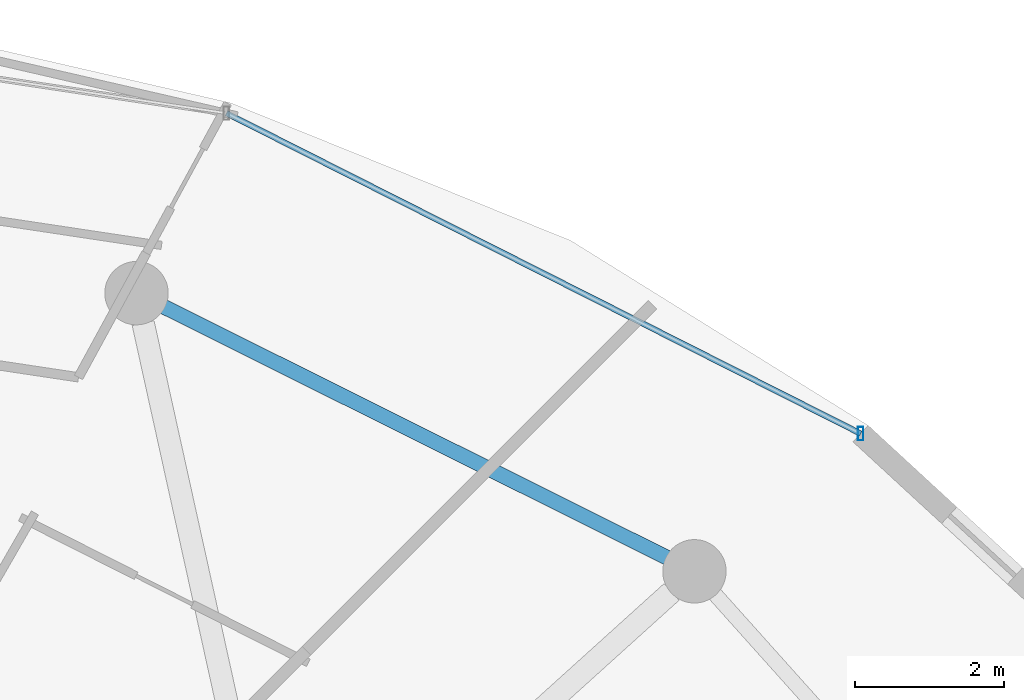
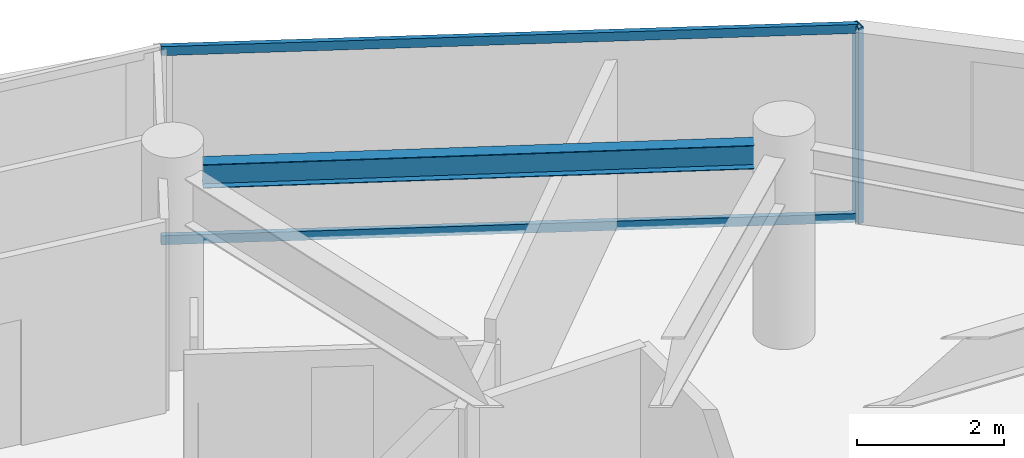
# One storey, part 15 of 25: 3 members, 1 beam, 1 element without a shape of its own.
"""IFC4 building model written with IfcOpenShell, lengths in metres."""

from ifc_helpers import new_model, si_unit, direction, frame, origin, origin_2d, place, context, subcontext, project, spatial, hollow_rectangle, i_section, extrude, material, material_profile, profile_set, type_object, element, aggregate, save


model = new_model("IFC4")

# Units and contexts
model_context = context("Model", 3, precision=1e-05, world=origin(), true_north=direction((0.0, 1.0)))
body_context = subcontext(model_context, "Body", "Model", "MODEL_VIEW")
ifc_project = project(units=[si_unit("LENGTHUNIT", "METRE"), si_unit("AREAUNIT", "SQUARE_METRE"), si_unit("VOLUMEUNIT", "CUBIC_METRE"), si_unit("PLANEANGLEUNIT", "RADIAN"), si_unit("MASSUNIT", "GRAM", prefix="KILO")], contexts=[model_context])

# Site, building, storey
site_placement = place(None, origin())
site = spatial("IfcSite", under=ifc_project, at=site_placement, CompositionType="ELEMENT")
building_placement = place(site_placement, origin())
building = spatial("IfcBuilding", under=site, at=building_placement, Name="Vorneva Point Tower", CompositionType="ELEMENT")
storey_placement = place(building_placement, frame((0.0, 0.0, 276.85009765625)))
storey = spatial("IfcBuildingStorey", under=building, at=storey_placement, Name="L75", CompositionType="ELEMENT", Elevation=276.85009765625)

# Beam
ifc_material_1 = material(Name="Steel S355", Category="steel")
ifc_material_profile_1 = material_profile(ifc_material_1, i_section(OverallWidth=0.198974609375, OverallDepth=0.39599609375, WebThickness=0.007080078125, FlangeThickness=0.010986328125, at=origin_2d()), Name="40B1")
ifc_profile_set_1 = profile_set([ifc_material_profile_1], Name="Steel S355")
beam_type = type_object("IfcBeamType", Name="BM-SPN-40B1", PredefinedType="SPANDREL", material=ifc_profile_set_1)
beam_placement = place(storey_placement, frame((53.931884765625, 38.34521484375, 2.991943359375), z_axis=(-0.894932011528, 0.446202526599, 0.0), x_axis=(-0.446202526599, -0.894932011528, 0.0)))
element("IfcBeam", 1, at=beam_placement, inside=storey, type_object=beam_type, Name="L75 Perimeter Spandrel Ring Beam 03", PredefinedType="SPANDREL", context=body_context, shape_type="SweptSolid", body=[
    extrude(i_section(OverallWidth=0.198974609375, OverallDepth=0.39599609375, WebThickness=0.007080078125, FlangeThickness=0.010986328125, at=origin_2d()), origin(), (0.0, 0.0, 1.0), 7.535888671875),
])

# Curtain wall, members
ifc_material_2 = material(Name="Pale anodised aluminium", Category="aluminium")
curtain_wall_type = type_object("IfcCurtainWallType", Name="CW-RES-SYS", PredefinedType="NOTDEFINED", material=ifc_material_2)
curtain_wall_placement = place(storey_placement, origin())
curtain_wall = element("IfcCurtainWall", 2, at=curtain_wall_placement, inside=storey, type_object=curtain_wall_type, Name="L75 Unitised Curtain Wall CW-L75-R02", PredefinedType="NOTDEFINED")
ifc_material_profile_2 = material_profile(ifc_material_2, hollow_rectangle(XDim=0.074951171875, YDim=0.179931640625, WallThickness=0.00390625, at=origin_2d()), Name="AL-MUL 180x75x4")
ifc_profile_set_2 = profile_set([ifc_material_profile_2], Name="Pale anodised aluminium")
member_type_1 = type_object("IfcMemberType", Name="CW-MUL-180", PredefinedType="MULLION", material=ifc_profile_set_2)
member_1_placement = place(storey_placement, frame((56.526123046875, 40.0078125, -0.0400390625), z_axis=(0.0, 0.0, 1.0), x_axis=(1.0, 0.0, 0.0)))
member_1 = element("IfcMember", 3, at=member_1_placement, type_object=member_type_1, Name="CW-L75-R02 Mullion 01", PredefinedType="MULLION", context=body_context, shape_type="SweptSolid", body=[
    extrude(hollow_rectangle(XDim=0.074951171875, YDim=0.179931640625, WallThickness=0.00390625, at=origin_2d()), origin(), (0.0, 0.0, 1.0), 3.260009765625),
])
ifc_material_profile_3 = material_profile(ifc_material_2, hollow_rectangle(XDim=0.074951171875, YDim=0.14990234375, WallThickness=0.00390625, at=origin_2d()), Name="AL-TRN 150x75x4")
ifc_profile_set_3 = profile_set([ifc_material_profile_3], Name="Pale anodised aluminium")
member_type_2 = type_object("IfcMemberType", Name="CW-TRN-150", PredefinedType="USERDEFINED", material=ifc_profile_set_3)
member_2_placement = place(storey_placement, frame((56.526123046875, 40.0078125, 0.02001953125), z_axis=(-0.892558185815, 0.450932239848, 0.0), x_axis=(-0.450932239848, -0.892558185815, 0.0)))
member_2 = element("IfcMember", 4, at=member_2_placement, type_object=member_type_2, Name="CW-L75-R02 Transom 01.1", ObjectType="TRANSOM", PredefinedType="USERDEFINED", context=body_context, shape_type="SweptSolid", body=[
    extrude(hollow_rectangle(XDim=0.074951171875, YDim=0.14990234375, WallThickness=0.00390625, at=origin_2d()), origin(), (0.0, 0.0, 1.0), 9.52294921875),
])
member_3_placement = place(storey_placement, frame((56.526123046875, 40.0078125, 3.169921875), z_axis=(-0.892558185815, 0.450932239848, 0.0), x_axis=(-0.450932239848, -0.892558185815, 0.0)))
member_3 = element("IfcMember", 5, at=member_3_placement, type_object=member_type_2, Name="CW-L75-R02 Transom 01.2", ObjectType="TRANSOM", PredefinedType="USERDEFINED", context=body_context, shape_type="SweptSolid", body=[
    extrude(hollow_rectangle(XDim=0.074951171875, YDim=0.14990234375, WallThickness=0.00390625, at=origin_2d()), origin(), (0.0, 0.0, 1.0), 9.52294921875),
])
aggregate(curtain_wall, [member_1, member_2, member_3])

save(model, "model.ifc")
